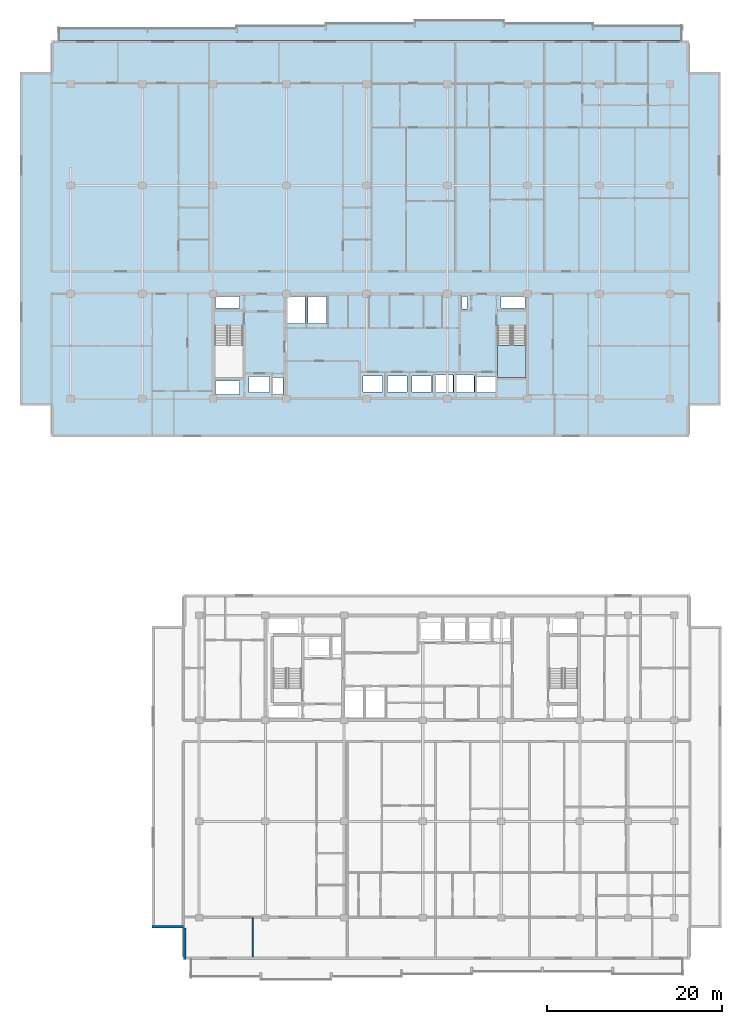
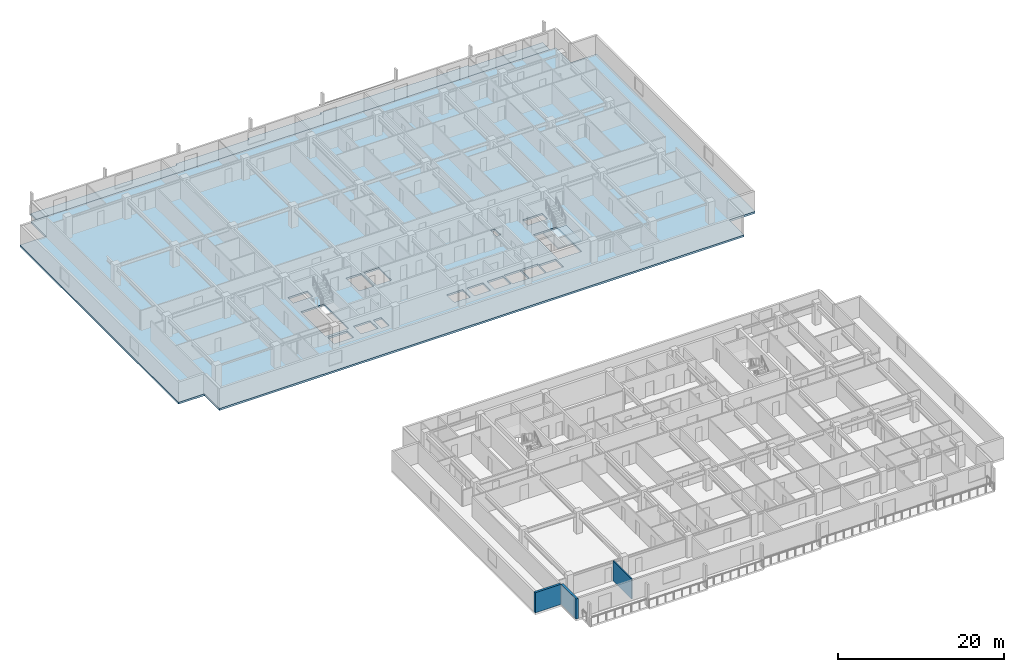
# One storey, part 3 of 21: 3 slabs, 3 walls, 1 element without a shape of its own.
"""IFC4 building model written with IfcOpenShell, lengths in metres."""

import ifcopenshell
import ifcopenshell.guid

model = None  # the IFC model being written
_history = None  # IfcOwnerHistory: only IFC2X3 demands one
_inside = {}  # id of a spatial element -> (the spatial element, [elements in it])
_under = {}  # id of a project, library or spatial element -> (it, [spatial elements below it])
_declared = {}  # id of a project -> (the project, [libraries it declares])
_typed = {}  # id of a type object -> (the type object, [elements of that type])
_made_of = {}  # id of a material, layer set ... -> (it, [elements and type objects made of it])


def new_model(schema):
    """Start an empty IFC model of exactly this schema.

    Asked for "IFC4X3", IfcOpenShell would pick the latest addendum, in which some entities
    have other attributes; the version numbers below select the first issue.
    IFC2X3 requires an IfcOwnerHistory on every rooted entity: one is made here for all.
    """
    global model, _history
    if schema == "IFC4X3":
        model = ifcopenshell.file(schema_version=(4, 3, 0, 0))
    else:
        model = ifcopenshell.file(schema=schema)
    _inside.clear()
    _under.clear()
    _declared.clear()
    _typed.clear()
    _made_of.clear()
    _history = None
    if model.schema == "IFC2X3":
        org = make("IfcOrganization", Name="unknown")
        user = make(
            "IfcPersonAndOrganization",
            ThePerson=make("IfcPerson", FamilyName="unknown"),
            TheOrganization=org,
        )
        app = make(
            "IfcApplication",
            ApplicationDeveloper=org,
            Version="unknown",
            ApplicationFullName="unknown",
            ApplicationIdentifier="unknown",
        )
        _history = make(
            "IfcOwnerHistory",
            OwningUser=user,
            OwningApplication=app,
            ChangeAction="ADDED",
            CreationDate=0,
        )
    return model


def make(cls, **values):
    """One entity of the class cls with the attributes given. An attribute that is None is left unset."""
    return model.create_entity(
        cls, **{name: value for name, value in values.items() if value is not None}
    )


def rooted(cls, **values):
    """An entity with a GlobalId (a new one), such as an element, a storey or a relation."""
    return make(cls, GlobalId=ifcopenshell.guid.new(), OwnerHistory=_history, **values)


def si_unit(unit_type, name, prefix=None):
    """IfcSIUnit, for example si_unit("LENGTHUNIT", "METRE", prefix="MILLI")."""
    return make("IfcSIUnit", UnitType=unit_type, Prefix=prefix, Name=name)


def assignment(units):
    """IfcUnitAssignment: the units of a project."""
    return None if units is None else make("IfcUnitAssignment", Units=units)


def point(xyz):
    """IfcCartesianPoint."""
    return None if xyz is None else make("IfcCartesianPoint", Coordinates=xyz)


def direction(xyz):
    """IfcDirection."""
    return None if xyz is None else make("IfcDirection", DirectionRatios=xyz)


def frame(location, z_axis=None, x_axis=None):
    """IfcAxis2Placement3D, a coordinate frame: its origin and axes. An axis left out is left unset."""
    return make(
        "IfcAxis2Placement3D",
        Location=point(location),
        Axis=direction(z_axis),
        RefDirection=direction(x_axis),
    )


def frame_2d(location, x_axis=None):
    """IfcAxis2Placement2D, a coordinate frame in the plane: its origin and x axis."""
    return make(
        "IfcAxis2Placement2D", Location=point(location), RefDirection=direction(x_axis)
    )


def origin():
    """The frame at (0, 0, 0) with its axes left unset."""
    return frame((0.0, 0.0, 0.0))


def place(relative_to, where):
    """IfcLocalPlacement: puts the frame where relative to a parent placement (None: the world)."""
    return make(
        "IfcLocalPlacement", PlacementRelTo=relative_to, RelativePlacement=where
    )


def context(
    kind, dimensions, precision=None, world=None, true_north=None, identifier=None
):
    """IfcGeometricRepresentationContext, for example the 3D "Model" context."""
    return make(
        "IfcGeometricRepresentationContext",
        ContextIdentifier=identifier,
        ContextType=kind,
        CoordinateSpaceDimension=dimensions,
        Precision=precision,
        WorldCoordinateSystem=world,
        TrueNorth=true_north,
    )


def subcontext(parent, identifier, kind, view, scale=None):
    """IfcGeometricRepresentationSubContext, for example "Body" below "Model"."""
    return make(
        "IfcGeometricRepresentationSubContext",
        ContextIdentifier=identifier,
        ContextType=kind,
        ParentContext=parent,
        TargetScale=scale,
        TargetView=view,
    )


def project(units=None, contexts=None):
    """IfcProject with its units and contexts."""
    return rooted(
        "IfcProject",
        Name="project",
        RepresentationContexts=contexts,
        UnitsInContext=assignment(units),
    )


def spatial(cls, under=None, at=None, **own):
    """A site, building, storey or space (cls), placed at a placement, below another one or the project."""
    s = rooted(cls, ObjectPlacement=at, **own)
    if under is not None:
        _under.setdefault(under.id(), (under, []))[1].append(s)
    return s


def polyline(points):
    """IfcPolyline through the points."""
    return make("IfcPolyline", Points=[point(p) for p in points])


def profile(cls, at=None, kind="AREA", **sizes):
    """A parametric profile (cls). Its sizes go by their IFC names, for example OverallWidth=200.0."""
    return make(cls, ProfileType=kind, Position=at, **sizes)


def rectangle(**sizes):
    """IfcRectangleProfileDef."""
    return profile("IfcRectangleProfileDef", **sizes)


def outline(outer, holes=None, kind="AREA"):
    """IfcArbitraryClosedProfileDef: a profile drawn as a closed curve; with holes, ...WithVoids."""
    if holes is None:
        return make("IfcArbitraryClosedProfileDef", ProfileType=kind, OuterCurve=outer)
    return make(
        "IfcArbitraryProfileDefWithVoids",
        ProfileType=kind,
        OuterCurve=outer,
        InnerCurves=holes,
    )


def extrude(swept, where, along, depth):
    """IfcExtrudedAreaSolid: the profile swept, set in the frame where, extruded along a direction by depth."""
    return make(
        "IfcExtrudedAreaSolid",
        SweptArea=swept,
        Position=where,
        ExtrudedDirection=direction(along),
        Depth=depth,
    )


def shape(context_of_items, identifier, shape_type, items):
    """IfcShapeRepresentation: the items that make up one representation, for example the "Body"."""
    return make(
        "IfcShapeRepresentation",
        ContextOfItems=context_of_items,
        RepresentationIdentifier=identifier,
        RepresentationType=shape_type,
        Items=items,
    )


def material(Name=None, Category=None):
    """IfcMaterial."""
    return make("IfcMaterial", Name=Name, Category=Category)


def layer(
    of_material, thickness, ventilated=None, Name=None, Category=None, Priority=None
):
    """IfcMaterialLayer: one layer of a wall or slab, of a material (None: an air gap)."""
    return make(
        "IfcMaterialLayer",
        Material=of_material,
        LayerThickness=thickness,
        IsVentilated=ventilated,
        Name=Name,
        Category=Category,
        Priority=Priority,
    )


def layer_set(layers, Name=None):
    """IfcMaterialLayerSet."""
    return make("IfcMaterialLayerSet", MaterialLayers=layers, LayerSetName=Name)


def made_of(thing, what):
    """Note that an element or type object is made of a material, layer set ...; save() writes the relation."""
    if what is not None:
        _made_of.setdefault(what.id(), (what, []))[1].append(thing)
    return thing


def type_object(cls, material=None, **own):
    """A type object (cls), such as IfcWallType, which elements share."""
    return made_of(rooted(cls, **own), material)


def element(
    cls,
    number,
    at=None,
    inside=None,
    cuts=None,
    type_object=None,
    material=None,
    context=None,
    identifier="Body",
    shape_type=None,
    held_by="IfcProductDefinitionShape",
    body=None,
    shapes=None,
    **own,
):
    """One element of the class cls, such as IfcWall. Its Tag is "e" and its number.

    at: its placement. inside: the storey or other place that contains it. cuts: it is an
    opening in that element (IfcRelVoidsElement). A single representation is given by context,
    identifier, shape_type and body (its items); several are given by shapes. held_by: the class
    of the entity that holds the representations. save() writes the other relations.
    """
    e = rooted(cls, Tag="e%d" % number, ObjectPlacement=at, **own)
    if body is not None:
        shapes = [shape(context, identifier, shape_type, body)]
    if shapes is not None:
        e.Representation = make(held_by, Representations=shapes)
    if inside is not None:
        _inside.setdefault(inside.id(), (inside, []))[1].append(e)
    if cuts is not None:
        rooted(
            "IfcRelVoidsElement", RelatingBuildingElement=cuts, RelatedOpeningElement=e
        )
    if type_object is not None:
        _typed.setdefault(type_object.id(), (type_object, []))[1].append(e)
    return made_of(e, material)


def aggregate(whole, parts):
    """IfcRelAggregates: a whole, such as a stair, and the parts it consists of."""
    return rooted("IfcRelAggregates", RelatingObject=whole, RelatedObjects=parts)


def save(model, path):
    """Write the relations noted so far, then the file.

    IfcRelAggregates (storeys below a building ...), IfcRelContainedInSpatialStructure (elements
    in a storey), IfcRelDefinesByType, IfcRelAssociatesMaterial and IfcRelDeclares: one each for
    every whole, place, type object, material and project.
    """
    for whole, parts in _under.values():
        aggregate(whole, parts)
    for where, things in _inside.values():
        rooted(
            "IfcRelContainedInSpatialStructure",
            RelatedElements=things,
            RelatingStructure=where,
        )
    for kind, things in _typed.values():
        rooted("IfcRelDefinesByType", RelatedObjects=things, RelatingType=kind)
    for what, things in _made_of.values():
        rooted("IfcRelAssociatesMaterial", RelatedObjects=things, RelatingMaterial=what)
    for by, libraries in _declared.values():
        rooted("IfcRelDeclares", RelatingContext=by, RelatedDefinitions=libraries)
    model.write(path)


model = new_model("IFC4")

# Units and contexts
model_context = context("Model", 3, precision=1e-05, world=origin(), true_north=direction((0.0, 1.0)))
body_context = subcontext(model_context, "Body", "Model", "MODEL_VIEW")
ifc_project = project(units=[si_unit("LENGTHUNIT", "METRE"), si_unit("AREAUNIT", "SQUARE_METRE"), si_unit("VOLUMEUNIT", "CUBIC_METRE"), si_unit("PLANEANGLEUNIT", "RADIAN"), si_unit("MASSUNIT", "GRAM", prefix="KILO")], contexts=[model_context])

# Site, building, storey
site_placement = place(None, origin())
site = spatial("IfcSite", under=ifc_project, at=site_placement, CompositionType="ELEMENT")
building_placement = place(site_placement, origin())
building = spatial("IfcBuilding", under=site, at=building_placement, Name="Korimba Cascade Residences", CompositionType="ELEMENT")
storey_placement = place(building_placement, frame((0.0, 0.0, 100.300048828125)))
storey = spatial("IfcBuildingStorey", under=building, at=storey_placement, Name="L28", CompositionType="ELEMENT", Elevation=100.300048828125)

# Stair, slab
ifc_material_1 = material(Name="Concrete C50/60", Category="concrete")
stair_type = type_object("IfcStairType", Name="STR-W2-18R-1806", PredefinedType="HALF_TURN_STAIR", material=ifc_material_1)
stair_placement = place(storey_placement, origin())
stair = element("IfcStair", 1, at=stair_placement, inside=storey, type_object=stair_type, Name="L28 Tower 1 East Fire Stair ST-W2", PredefinedType="HALF_TURN_STAIR")
ifc_layer_1 = layer(ifc_material_1, 0.199951171875)
ifc_layer_set_1 = layer_set([ifc_layer_1], Name="Concrete C50/60")
slab_type_1 = type_object("IfcSlabType", Name="SLB-LND-220", PredefinedType="LANDING", material=ifc_layer_set_1)
slab_1_placement = place(storey_placement, frame((0.0, 0.0, 1.425048828125)))
slab_1 = element("IfcSlab", 2, at=slab_1_placement, type_object=slab_type_1, Name="ST-W2 landing 1", PredefinedType="LANDING", context=body_context, shape_type="SweptSolid", body=[
    extrude(outline(polyline([(108.659912109375, 61.31005859375), (108.659912109375, 57.60009765625), (111.89990234375, 57.60009765625), (111.89990234375, 61.31005859375), (108.659912109375, 61.31005859375)])), origin(), (0.0, 0.0, 1.0), 0.199951171875),
])
aggregate(stair, [slab_1])

# Slabs
ifc_material_2 = material(Name="Precast concrete C40/50", Category="concrete")
ifc_layer_2 = layer(ifc_material_2, 0.239990234375)
ifc_layer_set_2 = layer_set([ifc_layer_2], Name="Precast concrete C40/50")
slab_type_2 = type_object("IfcSlabType", Name="SLB-LOG-240", PredefinedType="FLOOR", material=ifc_layer_set_2)
slab_2_placement = place(storey_placement, frame((0.0, 0.0, -0.239990234375)))
element("IfcSlab", 3, at=slab_2_placement, inside=storey, type_object=slab_type_2, Name="L28 Tower 1 North Loggia Slab", PredefinedType="FLOOR", context=body_context, shape_type="SweptSolid", body=[
    extrude(outline(polyline([(58.39990234375, 96.199951171875), (129.800048828125, 96.199951171875), (129.800048828125, 97.949951171875), (119.60009765625, 97.949951171875), (119.60009765625, 98.25), (109.39990234375, 98.25), (109.39990234375, 98.550048828125), (99.199951171875, 98.550048828125), (99.199951171875, 98.25), (89.0, 98.25), (89.0, 97.949951171875), (78.800048828125, 97.949951171875), (78.800048828125, 97.64990234375), (58.39990234375, 97.64990234375), (58.39990234375, 96.199951171875)])), origin(), (0.0, 0.0, 1.0), 0.239990234375),
])
ifc_layer_3 = layer(ifc_material_1, 0.280029296875)
ifc_layer_set_3 = layer_set([ifc_layer_3], Name="Concrete C50/60")
slab_type_3 = type_object("IfcSlabType", Name="SLB-TYP-280", PredefinedType="FLOOR", material=ifc_layer_set_3)
slab_3_placement = place(storey_placement, frame((0.0, 0.0, -0.280029296875)))
element("IfcSlab", 4, at=slab_3_placement, inside=storey, type_object=slab_type_3, Name="L28 Tower 1 Floor Slab", PredefinedType="FLOOR", context=body_context, shape_type="SweptSolid", body=[
    extrude(outline(polyline([(57.60009765625, 50.800048828125), (130.60009765625, 50.800048828125), (130.60009765625, 54.39990234375), (134.199951171875, 54.39990234375), (134.199951171875, 92.60009765625), (130.60009765625, 92.60009765625), (130.60009765625, 96.199951171875), (57.60009765625, 96.199951171875), (57.60009765625, 92.60009765625), (54.0, 92.60009765625), (54.0, 54.39990234375), (57.60009765625, 54.39990234375), (57.60009765625, 50.800048828125)]), holes=[polyline([(76.300048828125, 63.514892578125), (76.300048828125, 57.60009765625), (79.5400390625, 57.60009765625), (79.5400390625, 63.514892578125), (76.300048828125, 63.514892578125)]), polyline([(108.659912109375, 63.514892578125), (108.659912109375, 57.60009765625), (111.89990234375, 57.60009765625), (111.89990234375, 63.514892578125), (108.659912109375, 63.514892578125)]), polyline([(80.22998046875, 55.8798828125), (82.570068359375, 55.8798828125), (82.570068359375, 57.719970703125), (80.22998046875, 57.719970703125), (80.22998046875, 55.8798828125)]), polyline([(106.080078125, 55.8798828125), (108.419921875, 55.8798828125), (108.419921875, 57.719970703125), (106.080078125, 57.719970703125), (106.080078125, 55.8798828125)]), polyline([(93.280029296875, 55.97998046875), (95.52001953125, 55.97998046875), (95.52001953125, 57.820068359375), (93.280029296875, 57.820068359375), (93.280029296875, 55.97998046875)]), polyline([(96.080078125, 55.97998046875), (98.320068359375, 55.97998046875), (98.320068359375, 57.820068359375), (96.080078125, 57.820068359375), (96.080078125, 55.97998046875)]), polyline([(98.8798828125, 55.97998046875), (101.1201171875, 55.97998046875), (101.1201171875, 57.820068359375), (98.8798828125, 57.820068359375), (98.8798828125, 55.97998046875)]), polyline([(101.304931640625, 55.8798828125), (103.594970703125, 55.8798828125), (103.594970703125, 57.919921875), (101.304931640625, 57.919921875), (101.304931640625, 55.8798828125)]), polyline([(103.705078125, 55.8798828125), (105.9951171875, 55.8798828125), (105.9951171875, 57.919921875), (103.705078125, 57.919921875), (103.705078125, 55.8798828125)]), polyline([(82.97998046875, 55.679931640625), (84.080078125, 55.679931640625), (84.080078125, 57.6201171875), (82.97998046875, 57.6201171875), (82.97998046875, 55.679931640625)]), polyline([(76.39990234375, 65.56005859375), (79.10009765625, 65.56005859375), (79.10009765625, 66.8798828125), (76.39990234375, 66.8798828125), (76.39990234375, 65.56005859375)]), polyline([(76.39990234375, 55.679931640625), (79.10009765625, 55.679931640625), (79.10009765625, 57.239990234375), (76.39990234375, 57.239990234375), (76.39990234375, 55.679931640625)]), polyline([(84.530029296875, 63.820068359375), (86.6201171875, 63.820068359375), (86.6201171875, 66.8798828125), (84.530029296875, 66.8798828125), (84.530029296875, 63.820068359375)]), polyline([(86.97998046875, 63.820068359375), (89.070068359375, 63.820068359375), (89.070068359375, 66.8798828125), (86.97998046875, 66.8798828125), (86.97998046875, 63.820068359375)]), polyline([(104.6201171875, 65.4599609375), (105.179931640625, 65.4599609375), (105.179931640625, 66.8798828125), (104.6201171875, 66.8798828125), (104.6201171875, 65.4599609375)]), polyline([(109.080078125, 65.56005859375), (111.800048828125, 65.56005859375), (111.800048828125, 66.8798828125), (109.080078125, 66.8798828125), (109.080078125, 65.56005859375)])]), origin(), (0.0, 0.0, 1.0), 0.280029296875),
])

# Walls
ifc_layer_4 = layer(ifc_material_2, 0.300048828125)
ifc_layer_set_4 = layer_set([ifc_layer_4], Name="Precast concrete C40/50")
wall_type_1 = type_object("IfcWallType", Name="EW-STONE-300", PredefinedType="STANDARD", material=ifc_layer_set_4)
wall_1_placement = place(storey_placement, frame((69.10009765625, -5.25, 0.0), z_axis=(0.0, 0.0, 1.0), x_axis=(1.0, 0.0, 0.0)))
element("IfcWall", 5, at=wall_1_placement, inside=storey, type_object=wall_type_1, Name="L28 T2 Perimeter Stone Wall E10", PredefinedType="STANDARD", context=body_context, shape_type="SweptSolid", body=[
    extrude(rectangle(XDim=3.599853515625, YDim=0.300048828125, at=frame_2d((1.7998046875, 0.0))), origin(), (0.0, 0.0, 1.0), 2.969970703125),
])
wall_2_placement = place(storey_placement, frame((72.85009765625, -5.39990234375, 0.0), z_axis=(0.0, 0.0, 1.0), x_axis=(0.0, -1.0, 0.0)))
element("IfcWall", 6, at=wall_2_placement, inside=storey, type_object=wall_type_1, Name="L28 T2 Perimeter Stone Wall E11", PredefinedType="STANDARD", context=body_context, shape_type="SweptSolid", body=[
    extrude(rectangle(XDim=3.60009765625, YDim=0.300048828125, at=frame_2d((1.800048828125, 0.0))), origin(), (0.0, 0.0, 1.0), 2.969970703125),
])
ifc_material_3 = material(Name="Insulated Acoustic Stud Partition", Category="gypsum")
ifc_layer_5 = layer(ifc_material_3, 0.14990234375)
ifc_layer_set_5 = layer_set([ifc_layer_5], Name="Insulated Acoustic Stud Partition")
wall_type_2 = type_object("IfcWallType", Name="WAL-PART-150", PredefinedType="PARTITIONING", material=ifc_layer_set_5)
wall_3_placement = place(storey_placement, frame((80.655029296875, -8.699951171875, 0.0), z_axis=(0.0, 0.0, 1.0), x_axis=(0.0, 1.0, 0.0)))
element("IfcWall", 7, at=wall_3_placement, inside=storey, type_object=wall_type_2, Name="L28 Partition Wall WAL-L28-T2-U01-OUTV", PredefinedType="PARTITIONING", context=body_context, shape_type="SweptSolid", body=[
    extrude(rectangle(XDim=4.469970703125, YDim=0.14990234375, at=frame_2d((2.23486328125, 0.0))), origin(), (0.0, 0.0, 1.0), 2.969970703125),
])

save(model, "model.ifc")
